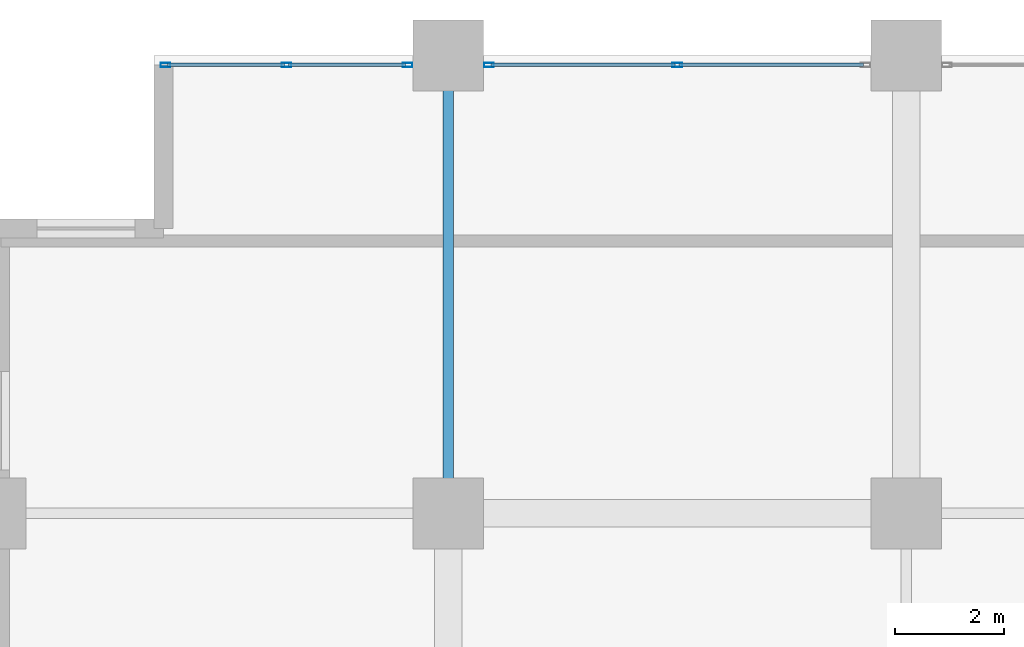
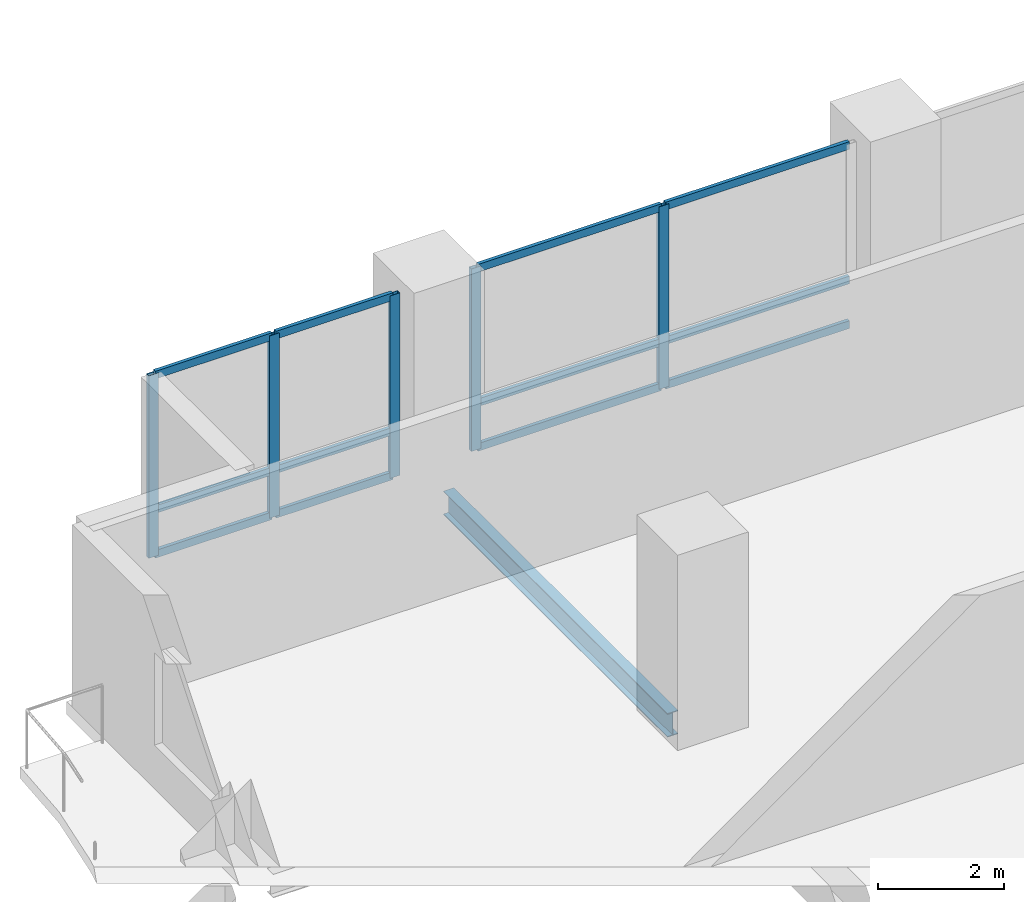
# One storey, part 3 of 20: 17 members, 1 beam, 2 elements without a shape of their own.
"""IFC4 building model written with IfcOpenShell, lengths in metres."""

import ifcopenshell
import ifcopenshell.guid

model = None  # the IFC model being written
_history = None  # IfcOwnerHistory: only IFC2X3 demands one
_inside = {}  # id of a spatial element -> (the spatial element, [elements in it])
_under = {}  # id of a project, library or spatial element -> (it, [spatial elements below it])
_declared = {}  # id of a project -> (the project, [libraries it declares])
_typed = {}  # id of a type object -> (the type object, [elements of that type])
_made_of = {}  # id of a material, layer set ... -> (it, [elements and type objects made of it])


def new_model(schema):
    """Start an empty IFC model of exactly this schema.

    Asked for "IFC4X3", IfcOpenShell would pick the latest addendum, in which some entities
    have other attributes; the version numbers below select the first issue.
    IFC2X3 requires an IfcOwnerHistory on every rooted entity: one is made here for all.
    """
    global model, _history
    if schema == "IFC4X3":
        model = ifcopenshell.file(schema_version=(4, 3, 0, 0))
    else:
        model = ifcopenshell.file(schema=schema)
    _inside.clear()
    _under.clear()
    _declared.clear()
    _typed.clear()
    _made_of.clear()
    _history = None
    if model.schema == "IFC2X3":
        org = make("IfcOrganization", Name="unknown")
        user = make(
            "IfcPersonAndOrganization",
            ThePerson=make("IfcPerson", FamilyName="unknown"),
            TheOrganization=org,
        )
        app = make(
            "IfcApplication",
            ApplicationDeveloper=org,
            Version="unknown",
            ApplicationFullName="unknown",
            ApplicationIdentifier="unknown",
        )
        _history = make(
            "IfcOwnerHistory",
            OwningUser=user,
            OwningApplication=app,
            ChangeAction="ADDED",
            CreationDate=0,
        )
    return model


def make(cls, **values):
    """One entity of the class cls with the attributes given. An attribute that is None is left unset."""
    return model.create_entity(
        cls, **{name: value for name, value in values.items() if value is not None}
    )


def rooted(cls, **values):
    """An entity with a GlobalId (a new one), such as an element, a storey or a relation."""
    return make(cls, GlobalId=ifcopenshell.guid.new(), OwnerHistory=_history, **values)


def si_unit(unit_type, name, prefix=None):
    """IfcSIUnit, for example si_unit("LENGTHUNIT", "METRE", prefix="MILLI")."""
    return make("IfcSIUnit", UnitType=unit_type, Prefix=prefix, Name=name)


def assignment(units):
    """IfcUnitAssignment: the units of a project."""
    return None if units is None else make("IfcUnitAssignment", Units=units)


def point(xyz):
    """IfcCartesianPoint."""
    return None if xyz is None else make("IfcCartesianPoint", Coordinates=xyz)


def direction(xyz):
    """IfcDirection."""
    return None if xyz is None else make("IfcDirection", DirectionRatios=xyz)


def frame(location, z_axis=None, x_axis=None):
    """IfcAxis2Placement3D, a coordinate frame: its origin and axes. An axis left out is left unset."""
    return make(
        "IfcAxis2Placement3D",
        Location=point(location),
        Axis=direction(z_axis),
        RefDirection=direction(x_axis),
    )


def frame_2d(location, x_axis=None):
    """IfcAxis2Placement2D, a coordinate frame in the plane: its origin and x axis."""
    return make(
        "IfcAxis2Placement2D", Location=point(location), RefDirection=direction(x_axis)
    )


def origin():
    """The frame at (0, 0, 0) with its axes left unset."""
    return frame((0.0, 0.0, 0.0))


def origin_2d():
    """The frame at (0, 0) in the plane with its x axis left unset."""
    return frame_2d((0.0, 0.0))


def place(relative_to, where):
    """IfcLocalPlacement: puts the frame where relative to a parent placement (None: the world)."""
    return make(
        "IfcLocalPlacement", PlacementRelTo=relative_to, RelativePlacement=where
    )


def context(
    kind, dimensions, precision=None, world=None, true_north=None, identifier=None
):
    """IfcGeometricRepresentationContext, for example the 3D "Model" context."""
    return make(
        "IfcGeometricRepresentationContext",
        ContextIdentifier=identifier,
        ContextType=kind,
        CoordinateSpaceDimension=dimensions,
        Precision=precision,
        WorldCoordinateSystem=world,
        TrueNorth=true_north,
    )


def subcontext(parent, identifier, kind, view, scale=None):
    """IfcGeometricRepresentationSubContext, for example "Body" below "Model"."""
    return make(
        "IfcGeometricRepresentationSubContext",
        ContextIdentifier=identifier,
        ContextType=kind,
        ParentContext=parent,
        TargetScale=scale,
        TargetView=view,
    )


def project(units=None, contexts=None):
    """IfcProject with its units and contexts."""
    return rooted(
        "IfcProject",
        Name="project",
        RepresentationContexts=contexts,
        UnitsInContext=assignment(units),
    )


def spatial(cls, under=None, at=None, **own):
    """A site, building, storey or space (cls), placed at a placement, below another one or the project."""
    s = rooted(cls, ObjectPlacement=at, **own)
    if under is not None:
        _under.setdefault(under.id(), (under, []))[1].append(s)
    return s


def profile(cls, at=None, kind="AREA", **sizes):
    """A parametric profile (cls). Its sizes go by their IFC names, for example OverallWidth=200.0."""
    return make(cls, ProfileType=kind, Position=at, **sizes)


def hollow_rectangle(**sizes):
    """IfcRectangleHollowProfileDef."""
    return profile("IfcRectangleHollowProfileDef", **sizes)


def i_section(**sizes):
    """IfcIShapeProfileDef."""
    return profile("IfcIShapeProfileDef", **sizes)


def extrude(swept, where, along, depth):
    """IfcExtrudedAreaSolid: the profile swept, set in the frame where, extruded along a direction by depth."""
    return make(
        "IfcExtrudedAreaSolid",
        SweptArea=swept,
        Position=where,
        ExtrudedDirection=direction(along),
        Depth=depth,
    )


def shape(context_of_items, identifier, shape_type, items):
    """IfcShapeRepresentation: the items that make up one representation, for example the "Body"."""
    return make(
        "IfcShapeRepresentation",
        ContextOfItems=context_of_items,
        RepresentationIdentifier=identifier,
        RepresentationType=shape_type,
        Items=items,
    )


def material(Name=None, Category=None):
    """IfcMaterial."""
    return make("IfcMaterial", Name=Name, Category=Category)


def layer(
    of_material, thickness, ventilated=None, Name=None, Category=None, Priority=None
):
    """IfcMaterialLayer: one layer of a wall or slab, of a material (None: an air gap)."""
    return make(
        "IfcMaterialLayer",
        Material=of_material,
        LayerThickness=thickness,
        IsVentilated=ventilated,
        Name=Name,
        Category=Category,
        Priority=Priority,
    )


def layer_set(layers, Name=None):
    """IfcMaterialLayerSet."""
    return make("IfcMaterialLayerSet", MaterialLayers=layers, LayerSetName=Name)


def material_profile(
    of_material, cross_section, Name=None, Category=None, Priority=None
):
    """IfcMaterialProfile: a cross section and its material."""
    return make(
        "IfcMaterialProfile",
        Name=Name,
        Material=of_material,
        Profile=cross_section,
        Priority=Priority,
        Category=Category,
    )


def profile_set(profiles, Name=None, composite=None):
    """IfcMaterialProfileSet."""
    return make(
        "IfcMaterialProfileSet",
        Name=Name,
        MaterialProfiles=profiles,
        CompositeProfile=composite,
    )


def made_of(thing, what):
    """Note that an element or type object is made of a material, layer set ...; save() writes the relation."""
    if what is not None:
        _made_of.setdefault(what.id(), (what, []))[1].append(thing)
    return thing


def type_object(cls, material=None, **own):
    """A type object (cls), such as IfcWallType, which elements share."""
    return made_of(rooted(cls, **own), material)


def element(
    cls,
    number,
    at=None,
    inside=None,
    cuts=None,
    type_object=None,
    material=None,
    context=None,
    identifier="Body",
    shape_type=None,
    held_by="IfcProductDefinitionShape",
    body=None,
    shapes=None,
    **own,
):
    """One element of the class cls, such as IfcWall. Its Tag is "e" and its number.

    at: its placement. inside: the storey or other place that contains it. cuts: it is an
    opening in that element (IfcRelVoidsElement). A single representation is given by context,
    identifier, shape_type and body (its items); several are given by shapes. held_by: the class
    of the entity that holds the representations. save() writes the other relations.
    """
    e = rooted(cls, Tag="e%d" % number, ObjectPlacement=at, **own)
    if body is not None:
        shapes = [shape(context, identifier, shape_type, body)]
    if shapes is not None:
        e.Representation = make(held_by, Representations=shapes)
    if inside is not None:
        _inside.setdefault(inside.id(), (inside, []))[1].append(e)
    if cuts is not None:
        rooted(
            "IfcRelVoidsElement", RelatingBuildingElement=cuts, RelatedOpeningElement=e
        )
    if type_object is not None:
        _typed.setdefault(type_object.id(), (type_object, []))[1].append(e)
    return made_of(e, material)


def aggregate(whole, parts):
    """IfcRelAggregates: a whole, such as a stair, and the parts it consists of."""
    return rooted("IfcRelAggregates", RelatingObject=whole, RelatedObjects=parts)


def save(model, path):
    """Write the relations noted so far, then the file.

    IfcRelAggregates (storeys below a building ...), IfcRelContainedInSpatialStructure (elements
    in a storey), IfcRelDefinesByType, IfcRelAssociatesMaterial and IfcRelDeclares: one each for
    every whole, place, type object, material and project.
    """
    for whole, parts in _under.values():
        aggregate(whole, parts)
    for where, things in _inside.values():
        rooted(
            "IfcRelContainedInSpatialStructure",
            RelatedElements=things,
            RelatingStructure=where,
        )
    for kind, things in _typed.values():
        rooted("IfcRelDefinesByType", RelatedObjects=things, RelatingType=kind)
    for what, things in _made_of.values():
        rooted("IfcRelAssociatesMaterial", RelatedObjects=things, RelatingMaterial=what)
    for by, libraries in _declared.values():
        rooted("IfcRelDeclares", RelatingContext=by, RelatedDefinitions=libraries)
    model.write(path)


model = new_model("IFC4")

# Units and contexts
model_context = context("Model", 3, precision=1e-05, world=origin(), true_north=direction((0.0, 1.0)))
body_context = subcontext(model_context, "Body", "Model", "MODEL_VIEW")
ifc_project = project(units=[si_unit("LENGTHUNIT", "METRE"), si_unit("AREAUNIT", "SQUARE_METRE"), si_unit("VOLUMEUNIT", "CUBIC_METRE"), si_unit("PLANEANGLEUNIT", "RADIAN"), si_unit("MASSUNIT", "GRAM", prefix="KILO")], contexts=[model_context])

# Site, building, storey
site_placement = place(None, origin())
site = spatial("IfcSite", under=ifc_project, at=site_placement, CompositionType="ELEMENT")
building_placement = place(site_placement, origin())
building = spatial("IfcBuilding", under=site, at=building_placement, Name="Koriwani Terraces Tower", CompositionType="ELEMENT")
storey_placement = place(building_placement, frame((0.0, 0.0, 126.60009765625)))
storey = spatial("IfcBuildingStorey", under=building, at=storey_placement, Name="L30", CompositionType="ELEMENT", Elevation=126.60009765625)

# Curtain wall, members
ifc_material_1 = material(Name="Anodised Bronze Aluminium", Category="aluminium")
ifc_layer = layer(ifc_material_1, 0.179931640625, Name="Anodised Bronze Aluminium")
ifc_layer_set = layer_set([ifc_layer], Name="Anodised Bronze Aluminium")
curtain_wall_type = type_object("IfcCurtainWallType", Name="CW_HOTEL_ZONE2", PredefinedType="NOTDEFINED", material=ifc_layer_set)
curtain_wall_1_placement = place(storey_placement, origin())
curtain_wall_1 = element("IfcCurtainWall", 1, at=curtain_wall_1_placement, inside=storey, type_object=curtain_wall_type, Name="L30 Unitised Curtain Wall (N_TIP) Bay 1", PredefinedType="NOTDEFINED")
ifc_material_profile_1 = material_profile(ifc_material_1, hollow_rectangle(XDim=0.074951171875, YDim=0.179931640625, WallThickness=0.006103515625, at=origin_2d()), Name="Anodised Bronze Aluminium", Category="LoadBearing")
ifc_profile_set_1 = profile_set([ifc_material_profile_1], Name="Anodised Bronze Aluminium")
member_type_1 = type_object("IfcMemberType", Name="CW_MULLION_180X75", PredefinedType="MULLION", material=ifc_profile_set_1)
member_1_placement = place(storey_placement, frame((3.21240234375, 92.22509765625, 0.0), z_axis=(0.0, 0.0, 1.0), x_axis=(0.0, 1.0, 0.0)))
member_1 = element("IfcMember", 2, at=member_1_placement, type_object=member_type_1, Name="CW-Z2 mullion 1", PredefinedType="MULLION", context=body_context, shape_type="SweptSolid", body=[
    extrude(hollow_rectangle(XDim=0.074951171875, YDim=0.179931640625, WallThickness=0.006103515625, at=origin_2d()), origin(), (0.0, 0.0, 1.0), 3.5498046875),
])
member_2_placement = place(storey_placement, frame((5.4326171875, 92.22509765625, 0.0), z_axis=(0.0, 0.0, 1.0), x_axis=(0.0, 1.0, 0.0)))
member_2 = element("IfcMember", 3, at=member_2_placement, type_object=member_type_1, Name="CW-Z2 mullion 2", PredefinedType="MULLION", context=body_context, shape_type="SweptSolid", body=[
    extrude(hollow_rectangle(XDim=0.074951171875, YDim=0.179931640625, WallThickness=0.006103515625, at=origin_2d()), origin(), (0.0, 0.0, 1.0), 3.5498046875),
])
member_3_placement = place(storey_placement, frame((7.652587890625, 92.22509765625, 0.0), z_axis=(0.0, 0.0, 1.0), x_axis=(0.0, 1.0, 0.0)))
member_3 = element("IfcMember", 4, at=member_3_placement, type_object=member_type_1, Name="CW-Z2 mullion 3", PredefinedType="MULLION", context=body_context, shape_type="SweptSolid", body=[
    extrude(hollow_rectangle(XDim=0.074951171875, YDim=0.179931640625, WallThickness=0.006103515625, at=origin_2d()), origin(), (0.0, 0.0, 1.0), 3.5498046875),
])

curtain_wall_2_placement = place(storey_placement, origin())
curtain_wall_2 = element("IfcCurtainWall", 5, at=curtain_wall_2_placement, inside=storey, type_object=curtain_wall_type, Name="L30 Unitised Curtain Wall (N_TIP) Bay 2", PredefinedType="NOTDEFINED")
member_4_placement = place(storey_placement, frame((9.1474609375, 92.22509765625, 0.0), z_axis=(0.0, 0.0, 1.0), x_axis=(0.0, 1.0, 0.0)))
member_4 = element("IfcMember", 6, at=member_4_placement, type_object=member_type_1, Name="CW-Z2 mullion 1", PredefinedType="MULLION", context=body_context, shape_type="SweptSolid", body=[
    extrude(hollow_rectangle(XDim=0.074951171875, YDim=0.179931640625, WallThickness=0.006103515625, at=origin_2d()), origin(), (0.0, 0.0, 1.0), 3.5498046875),
])
member_5_placement = place(storey_placement, frame((12.60009765625, 92.22509765625, 0.0), z_axis=(0.0, 0.0, 1.0), x_axis=(0.0, 1.0, 0.0)))
member_5 = element("IfcMember", 7, at=member_5_placement, type_object=member_type_1, Name="CW-Z2 mullion 2", PredefinedType="MULLION", context=body_context, shape_type="SweptSolid", body=[
    extrude(hollow_rectangle(XDim=0.074951171875, YDim=0.179931640625, WallThickness=0.006103515625, at=origin_2d()), origin(), (0.0, 0.0, 1.0), 3.5498046875),
])

# Member
ifc_material_profile_2 = material_profile(ifc_material_1, hollow_rectangle(XDim=0.06494140625, YDim=0.14990234375, WallThickness=0.0048828125, at=origin_2d()), Name="Anodised Bronze Aluminium", Category="LoadBearing")
ifc_profile_set_2 = profile_set([ifc_material_profile_2], Name="Anodised Bronze Aluminium")
member_type_2 = type_object("IfcMemberType", Name="CW_TRANSOM_150X65", PredefinedType="USERDEFINED", material=ifc_profile_set_2)
member_6_placement = place(storey_placement, frame((3.25, 92.22509765625, 0.032470703125), z_axis=(1.0, 0.0, 0.0), x_axis=(0.0, 1.0, 0.0)))
member_6 = element("IfcMember", 8, at=member_6_placement, type_object=member_type_2, Name="CW-Z2 transom 1.1", ObjectType="TRANSOM", PredefinedType="USERDEFINED", context=body_context, shape_type="SweptSolid", body=[
    extrude(hollow_rectangle(XDim=0.06494140625, YDim=0.14990234375, WallThickness=0.0048828125, at=origin_2d()), origin(), (0.0, 0.0, 1.0), 2.14501953125),
])

member_7_placement = place(storey_placement, frame((3.25, 92.22509765625, 0.89990234375), z_axis=(1.0, 0.0, 0.0), x_axis=(0.0, 1.0, 0.0)))
member_7 = element("IfcMember", 9, at=member_7_placement, type_object=member_type_2, Name="CW-Z2 transom 1.2", ObjectType="TRANSOM", PredefinedType="USERDEFINED", context=body_context, shape_type="SweptSolid", body=[
    extrude(hollow_rectangle(XDim=0.06494140625, YDim=0.14990234375, WallThickness=0.0048828125, at=origin_2d()), origin(), (0.0, 0.0, 1.0), 2.14501953125),
])

member_8_placement = place(storey_placement, frame((3.25, 92.22509765625, 3.517333984375), z_axis=(1.0, 0.0, 0.0), x_axis=(0.0, 1.0, 0.0)))
member_8 = element("IfcMember", 10, at=member_8_placement, type_object=member_type_2, Name="CW-Z2 transom 1.3", ObjectType="TRANSOM", PredefinedType="USERDEFINED", context=body_context, shape_type="SweptSolid", body=[
    extrude(hollow_rectangle(XDim=0.06494140625, YDim=0.14990234375, WallThickness=0.0048828125, at=origin_2d()), origin(), (0.0, 0.0, 1.0), 2.14501953125),
])

member_9_placement = place(storey_placement, frame((5.469970703125, 92.22509765625, 0.032470703125), z_axis=(1.0, 0.0, 0.0), x_axis=(0.0, 1.0, 0.0)))
member_9 = element("IfcMember", 11, at=member_9_placement, type_object=member_type_2, Name="CW-Z2 transom 2.1", ObjectType="TRANSOM", PredefinedType="USERDEFINED", context=body_context, shape_type="SweptSolid", body=[
    extrude(hollow_rectangle(XDim=0.06494140625, YDim=0.14990234375, WallThickness=0.0048828125, at=origin_2d()), origin(), (0.0, 0.0, 1.0), 2.14501953125),
])

member_10_placement = place(storey_placement, frame((5.469970703125, 92.22509765625, 0.89990234375), z_axis=(1.0, 0.0, 0.0), x_axis=(0.0, 1.0, 0.0)))
member_10 = element("IfcMember", 12, at=member_10_placement, type_object=member_type_2, Name="CW-Z2 transom 2.2", ObjectType="TRANSOM", PredefinedType="USERDEFINED", context=body_context, shape_type="SweptSolid", body=[
    extrude(hollow_rectangle(XDim=0.06494140625, YDim=0.14990234375, WallThickness=0.0048828125, at=origin_2d()), origin(), (0.0, 0.0, 1.0), 2.14501953125),
])

member_11_placement = place(storey_placement, frame((5.469970703125, 92.22509765625, 3.517333984375), z_axis=(1.0, 0.0, 0.0), x_axis=(0.0, 1.0, 0.0)))
member_11 = element("IfcMember", 13, at=member_11_placement, type_object=member_type_2, Name="CW-Z2 transom 2.3", ObjectType="TRANSOM", PredefinedType="USERDEFINED", context=body_context, shape_type="SweptSolid", body=[
    extrude(hollow_rectangle(XDim=0.06494140625, YDim=0.14990234375, WallThickness=0.0048828125, at=origin_2d()), origin(), (0.0, 0.0, 1.0), 2.14501953125),
])

aggregate(curtain_wall_1, [member_1, member_2, member_3, member_6, member_7, member_8, member_9, member_10, member_11])

member_12_placement = place(storey_placement, frame((9.18505859375, 92.22509765625, 0.032470703125), z_axis=(1.0, 0.0, 0.0), x_axis=(0.0, 1.0, 0.0)))
member_12 = element("IfcMember", 14, at=member_12_placement, type_object=member_type_2, Name="CW-Z2 transom 1.1", ObjectType="TRANSOM", PredefinedType="USERDEFINED", context=body_context, shape_type="SweptSolid", body=[
    extrude(hollow_rectangle(XDim=0.06494140625, YDim=0.14990234375, WallThickness=0.0048828125, at=origin_2d()), origin(), (0.0, 0.0, 1.0), 3.37744140625),
])

member_13_placement = place(storey_placement, frame((9.18505859375, 92.22509765625, 0.89990234375), z_axis=(1.0, 0.0, 0.0), x_axis=(0.0, 1.0, 0.0)))
member_13 = element("IfcMember", 15, at=member_13_placement, type_object=member_type_2, Name="CW-Z2 transom 1.2", ObjectType="TRANSOM", PredefinedType="USERDEFINED", context=body_context, shape_type="SweptSolid", body=[
    extrude(hollow_rectangle(XDim=0.06494140625, YDim=0.14990234375, WallThickness=0.0048828125, at=origin_2d()), origin(), (0.0, 0.0, 1.0), 3.37744140625),
])

member_14_placement = place(storey_placement, frame((9.18505859375, 92.22509765625, 3.517333984375), z_axis=(1.0, 0.0, 0.0), x_axis=(0.0, 1.0, 0.0)))
member_14 = element("IfcMember", 16, at=member_14_placement, type_object=member_type_2, Name="CW-Z2 transom 1.3", ObjectType="TRANSOM", PredefinedType="USERDEFINED", context=body_context, shape_type="SweptSolid", body=[
    extrude(hollow_rectangle(XDim=0.06494140625, YDim=0.14990234375, WallThickness=0.0048828125, at=origin_2d()), origin(), (0.0, 0.0, 1.0), 3.37744140625),
])

member_15_placement = place(storey_placement, frame((12.637451171875, 92.22509765625, 0.032470703125), z_axis=(1.0, 0.0, 0.0), x_axis=(0.0, 1.0, 0.0)))
member_15 = element("IfcMember", 17, at=member_15_placement, type_object=member_type_2, Name="CW-Z2 transom 2.1", ObjectType="TRANSOM", PredefinedType="USERDEFINED", context=body_context, shape_type="SweptSolid", body=[
    extrude(hollow_rectangle(XDim=0.06494140625, YDim=0.14990234375, WallThickness=0.0048828125, at=origin_2d()), origin(), (0.0, 0.0, 1.0), 3.37744140625),
])

member_16_placement = place(storey_placement, frame((12.637451171875, 92.22509765625, 0.89990234375), z_axis=(1.0, 0.0, 0.0), x_axis=(0.0, 1.0, 0.0)))
member_16 = element("IfcMember", 18, at=member_16_placement, type_object=member_type_2, Name="CW-Z2 transom 2.2", ObjectType="TRANSOM", PredefinedType="USERDEFINED", context=body_context, shape_type="SweptSolid", body=[
    extrude(hollow_rectangle(XDim=0.06494140625, YDim=0.14990234375, WallThickness=0.0048828125, at=origin_2d()), origin(), (0.0, 0.0, 1.0), 3.37744140625),
])

member_17_placement = place(storey_placement, frame((12.637451171875, 92.22509765625, 3.517333984375), z_axis=(1.0, 0.0, 0.0), x_axis=(0.0, 1.0, 0.0)))
member_17 = element("IfcMember", 19, at=member_17_placement, type_object=member_type_2, Name="CW-Z2 transom 2.3", ObjectType="TRANSOM", PredefinedType="USERDEFINED", context=body_context, shape_type="SweptSolid", body=[
    extrude(hollow_rectangle(XDim=0.06494140625, YDim=0.14990234375, WallThickness=0.0048828125, at=origin_2d()), origin(), (0.0, 0.0, 1.0), 3.37744140625),
])

aggregate(curtain_wall_2, [member_4, member_5, member_12, member_13, member_14, member_15, member_16, member_17])

# Beam
ifc_material_2 = material(Name="Steel ASTM A572 Grade 50", Category="steel")
ifc_material_profile_3 = material_profile(ifc_material_2, i_section(OverallWidth=0.193115234375, OverallDepth=0.462890625, WebThickness=0.0107421875, FlangeThickness=0.017333984375, at=origin_2d()), Name="Steel ASTM A572 Grade 50", Category="LoadBearing")
ifc_profile_set_3 = profile_set([ifc_material_profile_3], Name="Steel ASTM A572 Grade 50")
beam_type = type_object("IfcBeamType", Name="STEEL_BEAM_W460X113", PredefinedType="BEAM", material=ifc_profile_set_3)
beam_placement = place(storey_placement, frame((8.39990234375, 84.6298828125, -0.481689453125), z_axis=(0.0, 1.0, 0.0), x_axis=(-1.0, 0.0, 0.0)))
element("IfcBeam", 20, at=beam_placement, inside=storey, type_object=beam_type, Name="L30 Grid Beam 2 (84.0-92.4m)", PredefinedType="BEAM", context=body_context, shape_type="SweptSolid", body=[
    extrude(i_section(OverallWidth=0.193115234375, OverallDepth=0.462890625, WebThickness=0.0107421875, FlangeThickness=0.017333984375, at=origin_2d()), origin(), (0.0, 0.0, 1.0), 7.14013671875),
])

save(model, "model.ifc")
